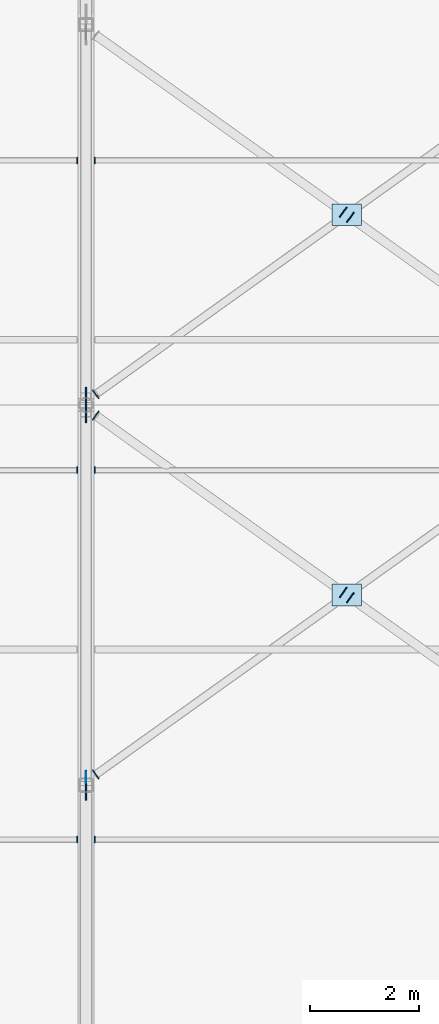
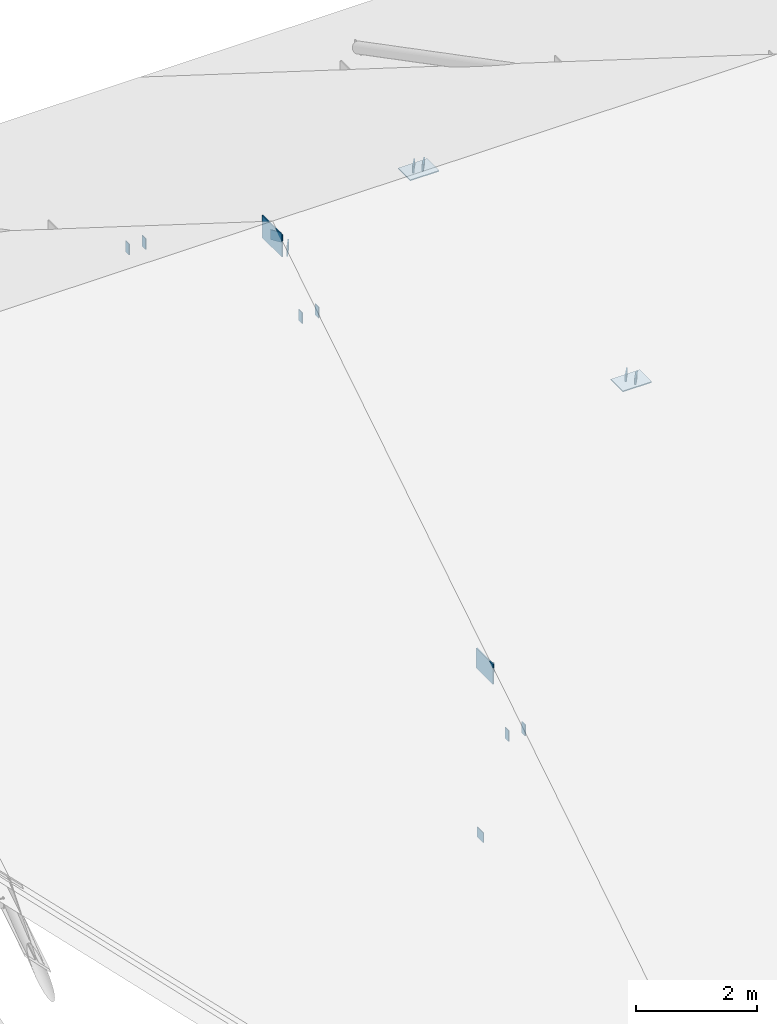
# One storey, part 46 of 66: 18 plates.
"""IFC4 building model written with IfcOpenShell, lengths in metres."""

from ifc_helpers import new_model, si_unit, direction, frame, origin, origin_2d, place, context, subcontext, project, spatial, rectangle, extrude, material, layer, layer_set, type_object, element, save


model = new_model("IFC4")

# Units and contexts
model_context = context("Model", 3, precision=1e-05, world=origin(), true_north=direction((0.0, 1.0)))
body_context = subcontext(model_context, "Body", "Model", "MODEL_VIEW")
ifc_project = project(units=[si_unit("LENGTHUNIT", "METRE"), si_unit("AREAUNIT", "SQUARE_METRE"), si_unit("VOLUMEUNIT", "CUBIC_METRE"), si_unit("PLANEANGLEUNIT", "RADIAN"), si_unit("MASSUNIT", "GRAM", prefix="KILO")], contexts=[model_context])

# Site, building, storey
site_placement = place(None, origin())
site = spatial("IfcSite", under=ifc_project, at=site_placement, CompositionType="ELEMENT")
building_placement = place(site_placement, origin())
building = spatial("IfcBuilding", under=site, at=building_placement, Name="Yeouljin Market Hall", CompositionType="ELEMENT")
storey_placement = place(building_placement, frame((0.0, 0.0, 23.39990234375)))
storey = spatial("IfcBuildingStorey", under=building, at=storey_placement, Name="RF", CompositionType="ELEMENT", Elevation=23.39990234375)

# Plates
ifc_material_1 = material(Name="Steel SM355", Category="steel")
ifc_layer_1 = layer(ifc_material_1, 0.01611328125)
ifc_layer_set_1 = layer_set([ifc_layer_1], Name="Steel SM355")
plate_type_1 = type_object("IfcPlateType", Name="CapPlate_200x200x16", PredefinedType="SHEET", material=ifc_layer_set_1)
for number, where, z_axis, x_axis, name in (
    (1, (102.60009765625, 50.144287109375, -7.078125), (0.0, 0.0, 1.0), (0.0, 1.0, 0.0), "Hollow web end-cap plate 0030"),
    (2, (102.77978515625, 50.19580078125, -3.78271484375), (0.0, 0.0, 1.0), (-0.581697151818, 0.813405448449, 0.0), "Wind brace end-cap plate 0193"),
    (3, (102.77978515625, 56.80419921875, 0.623046875), (0.0, 0.0, 1.0), (0.581697151818, 0.813405448449, 0.0), "Wind brace end-cap plate 0195"),
    (4, (102.77978515625, 57.19580078125, 0.623046875), (0.0, 0.0, 1.0), (-0.581697151818, 0.813405448449, 0.0), "Wind brace end-cap plate 0199"),
):
    element("IfcPlate", number, at=place(storey_placement, frame(where, z_axis=z_axis, x_axis=x_axis)), inside=storey, type_object=plate_type_1, Name=name, PredefinedType="SHEET", context=body_context, shape_type="SweptSolid", body=[
        extrude(rectangle(XDim=0.199951171875, YDim=0.01611328125, at=origin_2d()), origin(), (0.0, 0.0, 1.0), 0.199951171875),
    ])
ifc_material_2 = material(Name="Steel SM355", Category="steel")
ifc_layer_2 = layer(ifc_material_2, 0.01611328125)
ifc_layer_set_2 = layer_set([ifc_layer_2], Name="Steel SM355")
plate_type_2 = type_object("IfcPlateType", Name="CapPlate_220x120x16", PredefinedType="SHEET", material=ifc_layer_set_2)
for number, where, z_axis, x_axis, name in (
    (5, (102.44189453125, 49.0, -4.318359375), (0.0, 0.0, 1.0), (0.0, 1.0, 0.0), "Purlin end-cap plate 0172"),
    (6, (102.44189453125, 55.800048828125, -0.0439453125), (0.0, 0.0, 1.0), (0.0, 1.0, 0.0), "Purlin end-cap plate 0174"),
    (7, (102.44189453125, 61.5, -2.11865234375), (0.0, 0.0, 1.0), (0.0, 1.0, 0.0), "Purlin end-cap plate 0176"),
    (8, (102.758056640625, 49.0, -4.318359375), (0.0, 0.0, 1.0), (0.0, 1.0, 0.0), "Purlin end-cap plate 0183"),
    (9, (102.758056640625, 55.800048828125, -0.0439453125), (0.0, 0.0, 1.0), (0.0, 1.0, 0.0), "Purlin end-cap plate 0185"),
    (10, (102.758056640625, 61.5, -2.11865234375), (0.0, 0.0, 1.0), (0.0, 1.0, 0.0), "Purlin end-cap plate 0187"),
):
    element("IfcPlate", number, at=place(storey_placement, frame(where, z_axis=z_axis, x_axis=x_axis)), inside=storey, type_object=plate_type_2, Name=name, PredefinedType="SHEET", context=body_context, shape_type="SweptSolid", body=[
        extrude(rectangle(XDim=0.1201171875, YDim=0.01611328125, at=origin_2d()), origin(), (0.0, 0.0, 1.0), 0.219970703125),
    ])
for number, where, z_axis, x_axis, name in (
    (11, (107.333984375, 53.547119140625, -1.508544921875), (0.0, 0.0, 1.0), (0.581697151818, 0.813405448449, 0.0), "Wind brace end-cap plate 0196"),
    (12, (107.4658203125, 53.452880859375, -1.554931640625), (0.0, 0.0, 1.0), (0.581697151818, 0.813405448449, 0.0), "Wind brace end-cap plate 0197"),
    (13, (107.333984375, 60.547119140625, -1.554931640625), (0.0, 0.0, 1.0), (0.581697151818, 0.813405448449, 0.0), "Wind brace end-cap plate 0202"),
    (14, (107.4658203125, 60.452880859375, -1.508544921875), (0.0, 0.0, 1.0), (0.581697151818, 0.813405448449, 0.0), "Wind brace end-cap plate 0203"),
):
    element("IfcPlate", number, at=place(storey_placement, frame(where, z_axis=z_axis, x_axis=x_axis)), inside=storey, type_object=plate_type_2, Name=name, PredefinedType="SHEET", context=body_context, shape_type="SweptSolid", body=[
        extrude(rectangle(XDim=0.219970703125, YDim=0.01611328125, at=origin_2d()), origin(), (0.0, 0.0, 1.0), 0.1201171875),
    ])
ifc_material_3 = material(Name="Steel SM355", Category="steel")
ifc_layer_3 = layer(ifc_material_3, 0.02001953125)
ifc_layer_set_3 = layer_set([ifc_layer_3], Name="Steel SM355")
plate_type_3 = type_object("IfcPlateType", Name="GussetPlate_550x400x20", PredefinedType="USERDEFINED", material=ifc_layer_set_3)
plate_1_placement = place(storey_placement, frame((102.60009765625, 50.0, -3.699951171875), z_axis=(0.0, 0.0, 1.0), x_axis=(0.0, 1.0, 0.0)))
element("IfcPlate", 15, at=plate_1_placement, inside=storey, type_object=plate_type_3, Name="Truss node gusset plate 037", ObjectType="GUSSET PLATE", PredefinedType="USERDEFINED", context=body_context, shape_type="SweptSolid", body=[
    extrude(rectangle(XDim=0.550048828125, YDim=0.02001953125, at=origin_2d()), origin(), (0.0, 0.0, 1.0), 0.39990234375),
])
for number, where, z_axis, x_axis, name in (
    (16, (107.39990234375, 53.5, -1.579833984375), (0.0, 0.0, 1.0), (1.0, 0.0, 0.0), "X-brace crossing node gusset plate 007"),
    (17, (107.39990234375, 60.5, -1.579833984375), (0.0, 0.0, 1.0), (1.0, 0.0, 0.0), "X-brace crossing node gusset plate 008"),
):
    element("IfcPlate", number, at=place(storey_placement, frame(where, z_axis=z_axis, x_axis=x_axis)), inside=storey, type_object=plate_type_3, Name=name, ObjectType="GUSSET PLATE", PredefinedType="USERDEFINED", context=body_context, shape_type="SweptSolid", body=[
        extrude(rectangle(XDim=0.550048828125, YDim=0.39990234375, at=origin_2d()), origin(), (0.0, 0.0, 1.0), 0.02001953125),
    ])
ifc_material_4 = material(Name="Steel SM355", Category="steel")
ifc_layer_4 = layer(ifc_material_4, 0.02197265625)
ifc_layer_set_4 = layer_set([ifc_layer_4], Name="Steel SM355")
plate_type_4 = type_object("IfcPlateType", Name="GussetPlate_650x450x22", PredefinedType="USERDEFINED", material=ifc_layer_set_4)
plate_2_placement = place(storey_placement, frame((102.60009765625, 57.0, 0.67529296875), z_axis=(0.0, 0.0, 1.0), x_axis=(0.0, 1.0, 0.0)))
element("IfcPlate", 18, at=plate_2_placement, inside=storey, type_object=plate_type_4, Name="Truss node gusset plate 038", ObjectType="GUSSET PLATE", PredefinedType="USERDEFINED", context=body_context, shape_type="SweptSolid", body=[
    extrude(rectangle(XDim=0.64990234375, YDim=0.02197265625, at=origin_2d()), origin(), (0.0, 0.0, 1.0), 0.449951171875),
])

save(model, "model.ifc")
